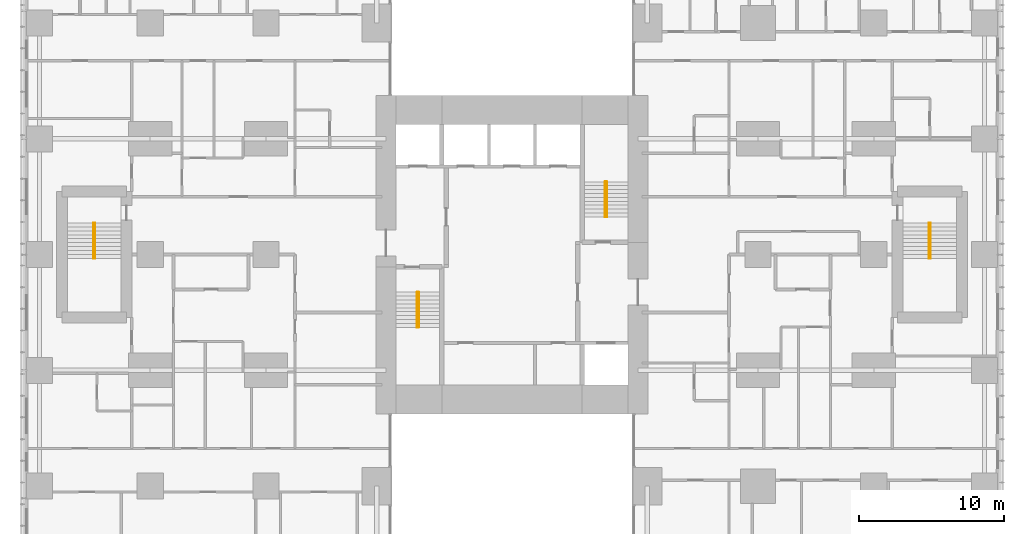
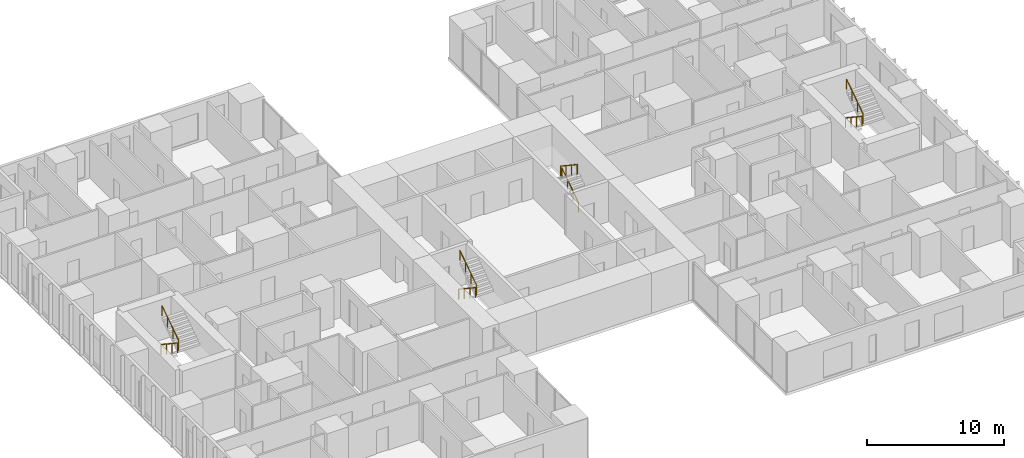
# One storey, part 20 of 20: 8 railings.
"""IFC4 building model written with IfcOpenShell, lengths in metres."""

from ifc_helpers import new_model, si_unit, direction, frame, origin, origin_2d, place, context, subcontext, project, spatial, circle, extrude, material, type_object, element, save


model = new_model("IFC4")

# Units and contexts
model_context = context("Model", 3, precision=1e-05, world=origin(), true_north=direction((0.0, 1.0)))
body_context = subcontext(model_context, "Body", "Model", "MODEL_VIEW")
ifc_project = project(units=[si_unit("LENGTHUNIT", "METRE"), si_unit("AREAUNIT", "SQUARE_METRE"), si_unit("VOLUMEUNIT", "CUBIC_METRE"), si_unit("PLANEANGLEUNIT", "RADIAN"), si_unit("MASSUNIT", "GRAM", prefix="KILO")], contexts=[model_context])

# Site, building, storey
site_placement = place(None, origin())
site = spatial("IfcSite", under=ifc_project, at=site_placement, CompositionType="ELEMENT")
building_placement = place(site_placement, origin())
building = spatial("IfcBuilding", under=site, at=building_placement, Name="Cleftline Residences", CompositionType="ELEMENT")
storey_placement = place(building_placement, frame((0.0, 0.0, 196.60009765625)))
storey = spatial("IfcBuildingStorey", under=building, at=storey_placement, Name="L51", CompositionType="ELEMENT", Elevation=196.60009765625)

# Railings
ifc_material = material(Name="Stainless steel", Category="steel")
railing_type = type_object("IfcRailingType", Name="HANDRAIL 900", PredefinedType="HANDRAIL", material=ifc_material)
railing_1_placement = place(storey_placement, frame((26.449951171875, 21.39990234375, 0.179931640625)))
element("IfcRailing", 1, at=railing_1_placement, inside=storey, type_object=railing_type, Name="Stair handrail", PredefinedType="HANDRAIL", context=body_context, shape_type="SweptSolid", body=[
    extrude(circle(Radius=0.02392578125, at=origin_2d()), frame((0.0, 0.0, 0.8759765625), z_axis=(0.0, -0.832063155534, 0.554680903946), x_axis=(1.0, 0.0, 0.0)), (0.0, 0.0, 1.0), 2.92041015625),
    extrude(circle(Radius=0.02099609375, at=origin_2d()), origin(), (0.0, 0.0, 1.0), 0.851806640625),
    extrude(circle(Radius=0.02099609375, at=origin_2d()), frame((0.0, -0.81005859375, 0.5400390625)), (0.0, 0.0, 1.0), 0.851806640625),
    extrude(circle(Radius=0.02099609375, at=origin_2d()), frame((0.0, -1.619873046875, 1.079833984375)), (0.0, 0.0, 1.0), 0.851806640625),
    extrude(circle(Radius=0.02099609375, at=origin_2d()), frame((0.0, -2.429931640625, 1.619873046875)), (0.0, 0.0, 1.0), 0.851806640625),
])
for number, where, name in (
    (2, (26.550048828125, 18.969970703125, 1.97998046875), "Stair handrail"),
    (3, (39.550048828125, 26.60009765625, 0.179931640625), "Stair handrail"),
):
    element("IfcRailing", number, at=place(storey_placement, frame(where)), inside=storey, type_object=railing_type, Name=name, PredefinedType="HANDRAIL", context=body_context, shape_type="SweptSolid", body=[
        extrude(circle(Radius=0.02392578125, at=origin_2d()), frame((0.0, 0.0, 0.8759765625), z_axis=(0.0, 0.832063155534, 0.554680903946), x_axis=(-1.0, 0.0, 0.0)), (0.0, 0.0, 1.0), 2.92041015625),
        extrude(circle(Radius=0.02099609375, at=origin_2d()), origin(), (0.0, 0.0, 1.0), 0.851806640625),
        extrude(circle(Radius=0.02099609375, at=origin_2d()), frame((0.0, 0.81005859375, 0.5400390625)), (0.0, 0.0, 1.0), 0.851806640625),
        extrude(circle(Radius=0.02099609375, at=origin_2d()), frame((0.0, 1.619873046875, 1.079833984375)), (0.0, 0.0, 1.0), 0.851806640625),
        extrude(circle(Radius=0.02099609375, at=origin_2d()), frame((0.0, 2.429931640625, 1.619873046875)), (0.0, 0.0, 1.0), 0.851806640625),
    ])
for number, where, name in (
    (4, (39.449951171875, 29.030029296875, 1.97998046875), "Stair handrail"),
    (5, (61.824951171875, 26.175048828125, 0.179931640625), "Stair handrail"),
):
    element("IfcRailing", number, at=place(storey_placement, frame(where)), inside=storey, type_object=railing_type, Name=name, PredefinedType="HANDRAIL", context=body_context, shape_type="SweptSolid", body=[
        extrude(circle(Radius=0.02392578125, at=origin_2d()), frame((0.0, 0.0, 0.8759765625), z_axis=(0.0, -0.832063155534, 0.554680903946), x_axis=(1.0, 0.0, 0.0)), (0.0, 0.0, 1.0), 2.92041015625),
        extrude(circle(Radius=0.02099609375, at=origin_2d()), origin(), (0.0, 0.0, 1.0), 0.851806640625),
        extrude(circle(Radius=0.02099609375, at=origin_2d()), frame((0.0, -0.81005859375, 0.5400390625)), (0.0, 0.0, 1.0), 0.851806640625),
        extrude(circle(Radius=0.02099609375, at=origin_2d()), frame((0.0, -1.619873046875, 1.079833984375)), (0.0, 0.0, 1.0), 0.851806640625),
        extrude(circle(Radius=0.02099609375, at=origin_2d()), frame((0.0, -2.429931640625, 1.619873046875)), (0.0, 0.0, 1.0), 0.851806640625),
    ])
railing_2_placement = place(storey_placement, frame((61.925048828125, 23.7451171875, 1.97998046875)))
element("IfcRailing", 6, at=railing_2_placement, inside=storey, type_object=railing_type, Name="Stair handrail", PredefinedType="HANDRAIL", context=body_context, shape_type="SweptSolid", body=[
    extrude(circle(Radius=0.02392578125, at=origin_2d()), frame((0.0, 0.0, 0.8759765625), z_axis=(0.0, 0.832063155534, 0.554680903946), x_axis=(-1.0, 0.0, 0.0)), (0.0, 0.0, 1.0), 2.92041015625),
    extrude(circle(Radius=0.02099609375, at=origin_2d()), origin(), (0.0, 0.0, 1.0), 0.851806640625),
    extrude(circle(Radius=0.02099609375, at=origin_2d()), frame((0.0, 0.81005859375, 0.5400390625)), (0.0, 0.0, 1.0), 0.851806640625),
    extrude(circle(Radius=0.02099609375, at=origin_2d()), frame((0.0, 1.619873046875, 1.079833984375)), (0.0, 0.0, 1.0), 0.851806640625),
    extrude(circle(Radius=0.02099609375, at=origin_2d()), frame((0.0, 2.429931640625, 1.619873046875)), (0.0, 0.0, 1.0), 0.851806640625),
])
railing_3_placement = place(storey_placement, frame((4.074951171875, 26.175048828125, 0.179931640625)))
element("IfcRailing", 7, at=railing_3_placement, inside=storey, type_object=railing_type, Name="Stair handrail", PredefinedType="HANDRAIL", context=body_context, shape_type="SweptSolid", body=[
    extrude(circle(Radius=0.02392578125, at=origin_2d()), frame((0.0, 0.0, 0.8759765625), z_axis=(0.0, -0.832063155534, 0.554680903946), x_axis=(1.0, 0.0, 0.0)), (0.0, 0.0, 1.0), 2.92041015625),
    extrude(circle(Radius=0.02099609375, at=origin_2d()), origin(), (0.0, 0.0, 1.0), 0.851806640625),
    extrude(circle(Radius=0.02099609375, at=origin_2d()), frame((0.0, -0.81005859375, 0.5400390625)), (0.0, 0.0, 1.0), 0.851806640625),
    extrude(circle(Radius=0.02099609375, at=origin_2d()), frame((0.0, -1.619873046875, 1.079833984375)), (0.0, 0.0, 1.0), 0.851806640625),
    extrude(circle(Radius=0.02099609375, at=origin_2d()), frame((0.0, -2.429931640625, 1.619873046875)), (0.0, 0.0, 1.0), 0.851806640625),
])
railing_4_placement = place(storey_placement, frame((4.175048828125, 23.7451171875, 1.97998046875)))
element("IfcRailing", 8, at=railing_4_placement, inside=storey, type_object=railing_type, Name="Stair handrail", PredefinedType="HANDRAIL", context=body_context, shape_type="SweptSolid", body=[
    extrude(circle(Radius=0.02392578125, at=origin_2d()), frame((0.0, 0.0, 0.8759765625), z_axis=(0.0, 0.832063155534, 0.554680903946), x_axis=(-1.0, 0.0, 0.0)), (0.0, 0.0, 1.0), 2.92041015625),
    extrude(circle(Radius=0.02099609375, at=origin_2d()), origin(), (0.0, 0.0, 1.0), 0.851806640625),
    extrude(circle(Radius=0.02099609375, at=origin_2d()), frame((0.0, 0.81005859375, 0.5400390625)), (0.0, 0.0, 1.0), 0.851806640625),
    extrude(circle(Radius=0.02099609375, at=origin_2d()), frame((0.0, 1.619873046875, 1.079833984375)), (0.0, 0.0, 1.0), 0.851806640625),
    extrude(circle(Radius=0.02099609375, at=origin_2d()), frame((0.0, 2.429931640625, 1.619873046875)), (0.0, 0.0, 1.0), 0.851806640625),
])

save(model, "model.ifc")
